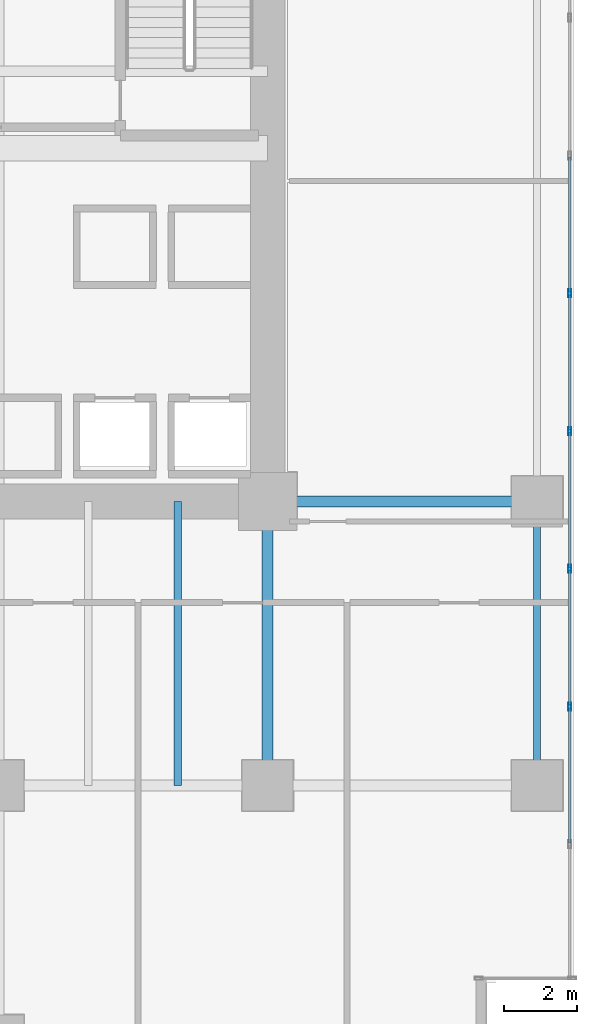
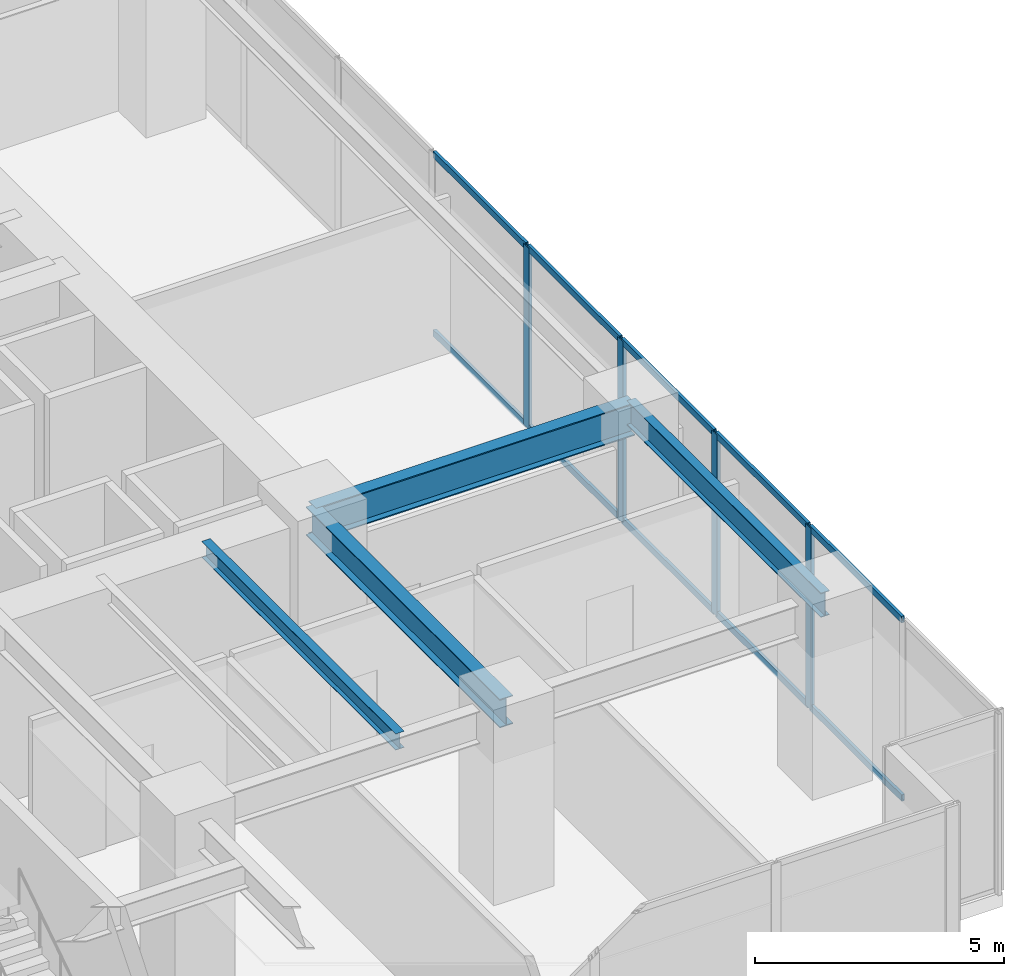
# One storey, part 19 of 33: 14 members, 4 beams, 1 element without a shape of its own.
"""IFC4 building model written with IfcOpenShell, lengths in metres."""

from ifc_helpers import new_model, si_unit, direction, frame, origin, origin_2d, place, context, subcontext, project, spatial, hollow_rectangle, i_section, extrude, source, transform, mapped, material, layer, layer_set, material_profile, profile_set, type_object, type_shapes, element, aggregate, save


model = new_model("IFC4")

# Units and contexts
model_context = context("Model", 3, precision=1e-05, world=origin(), true_north=direction((0.0, 1.0)))
body_context = subcontext(model_context, "Body", "Model", "MODEL_VIEW")
ifc_project = project(units=[si_unit("LENGTHUNIT", "METRE"), si_unit("AREAUNIT", "SQUARE_METRE"), si_unit("VOLUMEUNIT", "CUBIC_METRE"), si_unit("PLANEANGLEUNIT", "RADIAN"), si_unit("MASSUNIT", "GRAM", prefix="KILO")], contexts=[model_context])

# Site, building, storey
site_placement = place(None, origin())
site = spatial("IfcSite", under=ifc_project, at=site_placement, CompositionType="ELEMENT")
building_placement = place(site_placement, origin())
building = spatial("IfcBuilding", under=site, at=building_placement, Name="Haelvirn Gate Laboratories", CompositionType="ELEMENT")
storey_placement = place(building_placement, frame((0.0, 0.0, 10.199951171875)))
storey = spatial("IfcBuildingStorey", under=building, at=storey_placement, Name="L03", CompositionType="ELEMENT", Elevation=10.199951171875)

# Beams
ifc_material_1 = material(Name="Steel SM420", Category="steel")
ifc_material_profile_1 = material_profile(ifc_material_1, i_section(OverallWidth=0.300048828125, OverallDepth=0.800048828125, WebThickness=0.013916015625, FlangeThickness=0.02587890625, at=origin_2d()), Name="H-800x300x14x26")
ifc_profile_set_1 = profile_set([ifc_material_profile_1], Name="Steel SM420")
beam_type_1 = type_object("IfcBeamType", Name="BM-G-800", PredefinedType="BEAM", material=ifc_profile_set_1)
shared_shape_1 = source(origin(), body_context, "Body", "SweptSolid", [
    extrude(i_section(OverallWidth=0.300048828125, OverallDepth=0.800048828125, WebThickness=0.013916015625, FlangeThickness=0.02587890625, at=origin_2d()), origin(), (0.0, 0.0, 1.0), 7.400146484375),
])
type_shapes(beam_type_1, [shared_shape_1])
beam_1_placement = place(storey_placement, frame((67.39990234375, 14.800048828125, 4.050048828125), z_axis=(1.0, 0.0, 0.0), x_axis=(0.0, 1.0, 0.0)))
element("IfcBeam", 1, at=beam_1_placement, inside=storey, type_object=beam_type_1, Name="L03 Primary Girder Y14.8 (67.4-74.8)", PredefinedType="BEAM", context=body_context, shape_type="MappedRepresentation", body=[
    mapped(shared_shape_1, transform((0.0, 0.0, 0.0), scale=1.0)),
])
ifc_material_2 = material(Name="Steel SM355", Category="steel")
ifc_material_profile_2 = material_profile(ifc_material_2, i_section(OverallWidth=0.199951171875, OverallDepth=0.60009765625, WebThickness=0.010986328125, FlangeThickness=0.01708984375, at=origin_2d()), Name="H-600x200x11x17")
ifc_profile_set_2 = profile_set([ifc_material_profile_2], Name="Steel SM355")
beam_type_2 = type_object("IfcBeamType", Name="BM-SP-600", PredefinedType="SPANDREL", material=ifc_profile_set_2)
shared_shape_2 = source(origin(), body_context, "Body", "SweptSolid", [
    extrude(i_section(OverallWidth=0.199951171875, OverallDepth=0.60009765625, WebThickness=0.010986328125, FlangeThickness=0.01708984375, at=origin_2d()), origin(), (0.0, 0.0, 1.0), 7.800048828125),
])
type_shapes(beam_type_2, [shared_shape_2])
beam_2_placement = place(storey_placement, frame((74.800048828125, 7.0, 4.150146484375), z_axis=(0.0, 1.0, 0.0), x_axis=(-1.0, 0.0, 0.0)))
element("IfcBeam", 2, at=beam_2_placement, inside=storey, type_object=beam_type_2, Name="L03 Perimeter Spandrel X74.8 (7.0-14.8)", PredefinedType="SPANDREL", context=body_context, shape_type="MappedRepresentation", body=[
    mapped(shared_shape_2, transform((0.0, 0.0, 0.0), scale=1.0)),
])
ifc_material_profile_3 = material_profile(ifc_material_2, i_section(OverallWidth=0.199951171875, OverallDepth=0.39990234375, WebThickness=0.008056640625, FlangeThickness=0.012939453125, at=origin_2d()), Name="H-400x200x8x13")
ifc_profile_set_3 = profile_set([ifc_material_profile_3], Name="Steel SM355")
beam_type_3 = type_object("IfcBeamType", Name="BM-J-400", PredefinedType="JOIST", material=ifc_profile_set_3)
shared_shape_3 = source(origin(), body_context, "Body", "SweptSolid", [
    extrude(i_section(OverallWidth=0.199951171875, OverallDepth=0.39990234375, WebThickness=0.008056640625, FlangeThickness=0.012939453125, at=origin_2d()), origin(), (0.0, 0.0, 1.0), 7.800048828125),
])
type_shapes(beam_type_3, [shared_shape_3])
beam_3_placement = place(storey_placement, frame((64.929931640625, 7.0, 4.25), z_axis=(0.0, 1.0, 0.0), x_axis=(-1.0, 0.0, 0.0)))
element("IfcBeam", 3, at=beam_3_placement, inside=storey, type_object=beam_type_3, Name="L03 Composite Lab Joist South X64.93", PredefinedType="JOIST", context=body_context, shape_type="MappedRepresentation", body=[
    mapped(shared_shape_3, transform((0.0, 0.0, 0.0), scale=1.0)),
])
ifc_material_profile_4 = material_profile(ifc_material_2, i_section(OverallWidth=0.300048828125, OverallDepth=0.699951171875, WebThickness=0.012939453125, FlangeThickness=0.02392578125, at=origin_2d()), Name="H-700x300x13x24")
ifc_profile_set_4 = profile_set([ifc_material_profile_4], Name="Steel SM355")
beam_type_4 = type_object("IfcBeamType", Name="BM-G-700", PredefinedType="BEAM", material=ifc_profile_set_4)
shared_shape_4 = source(origin(), body_context, "Body", "SweptSolid", [
    extrude(i_section(OverallWidth=0.300048828125, OverallDepth=0.699951171875, WebThickness=0.012939453125, FlangeThickness=0.02392578125, at=origin_2d()), origin(), (0.0, 0.0, 1.0), 7.800048828125),
])
type_shapes(beam_type_4, [shared_shape_4])
beam_4_placement = place(storey_placement, frame((67.39990234375, 7.0, 4.10009765625), z_axis=(0.0, 1.0, 0.0), x_axis=(-1.0, 0.0, 0.0)))
element("IfcBeam", 4, at=beam_4_placement, inside=storey, type_object=beam_type_4, Name="L03 Frame Girder X67.4 (7.0-14.8)", PredefinedType="BEAM", context=body_context, shape_type="MappedRepresentation", body=[
    mapped(shared_shape_4, transform((0.0, 0.0, 0.0), scale=1.0)),
])

# Curtain wall, members
ifc_material_3 = material(Name="Anodised bronze unitised aluminium & triple low-E glass", Category="aluminium")
ifc_layer = layer(ifc_material_3, 0.18798828125, Name="CW-SYS-1")
ifc_layer_set = layer_set([ifc_layer], Name="Anodised bronze unitised aluminium & triple low-E glass")
curtain_wall_type = type_object("IfcCurtainWallType", Name="CW-SYS-1", PredefinedType="NOTDEFINED", material=ifc_layer_set)
curtain_wall_placement = place(storey_placement, origin())
curtain_wall = element("IfcCurtainWall", 5, at=curtain_wall_placement, inside=storey, type_object=curtain_wall_type, Name="L03 Unitised Curtain Wall CW-L03-P1-E03", PredefinedType="NOTDEFINED")
ifc_material_4 = material(Name="Extruded aluminium 6063-T6 (anodised bronze)", Category="aluminium")
ifc_material_profile_5 = material_profile(ifc_material_4, hollow_rectangle(XDim=0.070068359375, YDim=0.159912109375, WallThickness=0.0048828125, at=origin_2d()), Name="CWT-160x70x5")
ifc_profile_set_5 = profile_set([ifc_material_profile_5], Name="Extruded aluminium 6063-T6 (anodised bronze)")
member_type_1 = type_object("IfcMemberType", Name="CWT-T160", PredefinedType="USERDEFINED", material=ifc_profile_set_5)
shared_shape_5 = source(origin(), body_context, "Body", "SweptSolid", [
    extrude(hollow_rectangle(XDim=0.070068359375, YDim=0.159912109375, WallThickness=0.0048828125, at=origin_2d()), origin(), (0.0, 0.0, 1.0), 3.703369140625),
])
member_1_placement = place(storey_placement, frame((75.699951171875, 5.42333984375, 0.03515625), z_axis=(0.0, 1.0, 0.0), x_axis=(-1.0, 0.0, 0.0)))
member_1 = element("IfcMember", 6, at=member_1_placement, type_object=member_type_1, Name="CW1 transom 2.1", ObjectType="TRANSOM", PredefinedType="USERDEFINED", context=body_context, shape_type="MappedRepresentation", body=[
    mapped(shared_shape_5, transform((0.0, 0.0, 0.0), scale=1.0)),
])
member_2_placement = place(storey_placement, frame((75.699951171875, 5.42333984375, 4.4150390625), z_axis=(0.0, 1.0, 0.0), x_axis=(-1.0, 0.0, 0.0)))
member_2 = element("IfcMember", 7, at=member_2_placement, type_object=member_type_1, Name="CW1 transom 2.2", ObjectType="TRANSOM", PredefinedType="USERDEFINED", context=body_context, shape_type="MappedRepresentation", body=[
    mapped(shared_shape_5, transform((0.0, 0.0, 0.0), scale=1.0)),
])
member_3_placement = place(storey_placement, frame((75.699951171875, 12.989990234375, 0.03515625), z_axis=(0.0, 1.0, 0.0), x_axis=(-1.0, 0.0, 0.0)))
member_3 = element("IfcMember", 8, at=member_3_placement, type_object=member_type_1, Name="CW1 transom 4.1", ObjectType="TRANSOM", PredefinedType="USERDEFINED", context=body_context, shape_type="MappedRepresentation", body=[
    mapped(shared_shape_5, transform((0.0, 0.0, 0.0), scale=1.0)),
])
member_4_placement = place(storey_placement, frame((75.699951171875, 12.989990234375, 4.4150390625), z_axis=(0.0, 1.0, 0.0), x_axis=(-1.0, 0.0, 0.0)))
member_4 = element("IfcMember", 9, at=member_4_placement, type_object=member_type_1, Name="CW1 transom 4.2", ObjectType="TRANSOM", PredefinedType="USERDEFINED", context=body_context, shape_type="MappedRepresentation", body=[
    mapped(shared_shape_5, transform((0.0, 0.0, 0.0), scale=1.0)),
])
member_5_placement = place(storey_placement, frame((75.699951171875, 20.556640625, 0.03515625), z_axis=(0.0, 1.0, 0.0), x_axis=(-1.0, 0.0, 0.0)))
member_5 = element("IfcMember", 10, at=member_5_placement, type_object=member_type_1, Name="CW1 transom 6.1", ObjectType="TRANSOM", PredefinedType="USERDEFINED", context=body_context, shape_type="MappedRepresentation", body=[
    mapped(shared_shape_5, transform((0.0, 0.0, 0.0), scale=1.0)),
])
member_6_placement = place(storey_placement, frame((75.699951171875, 20.556640625, 4.4150390625), z_axis=(0.0, 1.0, 0.0), x_axis=(-1.0, 0.0, 0.0)))
member_6 = element("IfcMember", 11, at=member_6_placement, type_object=member_type_1, Name="CW1 transom 6.2", ObjectType="TRANSOM", PredefinedType="USERDEFINED", context=body_context, shape_type="MappedRepresentation", body=[
    mapped(shared_shape_5, transform((0.0, 0.0, 0.0), scale=1.0)),
])
shared_shape_6 = source(origin(), body_context, "Body", "SweptSolid", [
    extrude(hollow_rectangle(XDim=0.070068359375, YDim=0.159912109375, WallThickness=0.0048828125, at=origin_2d()), origin(), (0.0, 0.0, 1.0), 3.703125),
])
type_shapes(member_type_1, [shared_shape_5, shared_shape_6])
member_7_placement = place(storey_placement, frame((75.699951171875, 9.206787109375, 0.03515625), z_axis=(0.0, 1.0, 0.0), x_axis=(-1.0, 0.0, 0.0)))
member_7 = element("IfcMember", 12, at=member_7_placement, type_object=member_type_1, Name="CW1 transom 3.1", ObjectType="TRANSOM", PredefinedType="USERDEFINED", context=body_context, shape_type="MappedRepresentation", body=[
    mapped(shared_shape_6, transform((0.0, 0.0, 0.0), scale=1.0)),
])
member_8_placement = place(storey_placement, frame((75.699951171875, 9.206787109375, 4.4150390625), z_axis=(0.0, 1.0, 0.0), x_axis=(-1.0, 0.0, 0.0)))
member_8 = element("IfcMember", 13, at=member_8_placement, type_object=member_type_1, Name="CW1 transom 3.2", ObjectType="TRANSOM", PredefinedType="USERDEFINED", context=body_context, shape_type="MappedRepresentation", body=[
    mapped(shared_shape_6, transform((0.0, 0.0, 0.0), scale=1.0)),
])
member_9_placement = place(storey_placement, frame((75.699951171875, 16.7734375, 0.03515625), z_axis=(0.0, 1.0, 0.0), x_axis=(-1.0, 0.0, 0.0)))
member_9 = element("IfcMember", 14, at=member_9_placement, type_object=member_type_1, Name="CW1 transom 5.1", ObjectType="TRANSOM", PredefinedType="USERDEFINED", context=body_context, shape_type="MappedRepresentation", body=[
    mapped(shared_shape_6, transform((0.0, 0.0, 0.0), scale=1.0)),
])
member_10_placement = place(storey_placement, frame((75.699951171875, 16.7734375, 4.4150390625), z_axis=(0.0, 1.0, 0.0), x_axis=(-1.0, 0.0, 0.0)))
member_10 = element("IfcMember", 15, at=member_10_placement, type_object=member_type_1, Name="CW1 transom 5.2", ObjectType="TRANSOM", PredefinedType="USERDEFINED", context=body_context, shape_type="MappedRepresentation", body=[
    mapped(shared_shape_6, transform((0.0, 0.0, 0.0), scale=1.0)),
])
ifc_material_profile_6 = material_profile(ifc_material_4, hollow_rectangle(XDim=0.080078125, YDim=0.219970703125, WallThickness=0.006103515625, at=origin_2d()), Name="CWM-220x80x6")
ifc_profile_set_6 = profile_set([ifc_material_profile_6], Name="Extruded aluminium 6063-T6 (anodised bronze)")
member_type_2 = type_object("IfcMemberType", Name="CWM-T220", PredefinedType="MULLION", material=ifc_profile_set_6)
shared_shape_7 = source(origin(), body_context, "Body", "SweptSolid", [
    extrude(hollow_rectangle(XDim=0.080078125, YDim=0.219970703125, WallThickness=0.006103515625, at=origin_2d()), origin(), (0.0, 0.0, 1.0), 4.449951171875),
])
type_shapes(member_type_2, [shared_shape_7])
member_11_placement = place(storey_placement, frame((75.699951171875, 9.166748046875, 0.0), z_axis=(0.0, 0.0, 1.0), x_axis=(-1.0, 0.0, 0.0)))
member_11 = element("IfcMember", 16, at=member_11_placement, type_object=member_type_2, Name="CW1 mullion 3", PredefinedType="MULLION", context=body_context, shape_type="MappedRepresentation", body=[
    mapped(shared_shape_7, transform((0.0, 0.0, 0.0), scale=1.0)),
])
member_12_placement = place(storey_placement, frame((75.699951171875, 12.949951171875, 0.0), z_axis=(0.0, 0.0, 1.0), x_axis=(-1.0, 0.0, 0.0)))
member_12 = element("IfcMember", 17, at=member_12_placement, type_object=member_type_2, Name="CW1 mullion 4", PredefinedType="MULLION", context=body_context, shape_type="MappedRepresentation", body=[
    mapped(shared_shape_7, transform((0.0, 0.0, 0.0), scale=1.0)),
])
member_13_placement = place(storey_placement, frame((75.699951171875, 16.7333984375, 0.0), z_axis=(0.0, 0.0, 1.0), x_axis=(-1.0, 0.0, 0.0)))
member_13 = element("IfcMember", 18, at=member_13_placement, type_object=member_type_2, Name="CW1 mullion 5", PredefinedType="MULLION", context=body_context, shape_type="MappedRepresentation", body=[
    mapped(shared_shape_7, transform((0.0, 0.0, 0.0), scale=1.0)),
])
member_14_placement = place(storey_placement, frame((75.699951171875, 20.5166015625, 0.0), z_axis=(0.0, 0.0, 1.0), x_axis=(-1.0, 0.0, 0.0)))
member_14 = element("IfcMember", 19, at=member_14_placement, type_object=member_type_2, Name="CW1 mullion 6", PredefinedType="MULLION", context=body_context, shape_type="MappedRepresentation", body=[
    mapped(shared_shape_7, transform((0.0, 0.0, 0.0), scale=1.0)),
])
aggregate(curtain_wall, [member_11, member_12, member_13, member_14, member_1, member_2, member_7, member_8, member_3, member_4, member_9, member_10, member_5, member_6])

save(model, "model.ifc")
